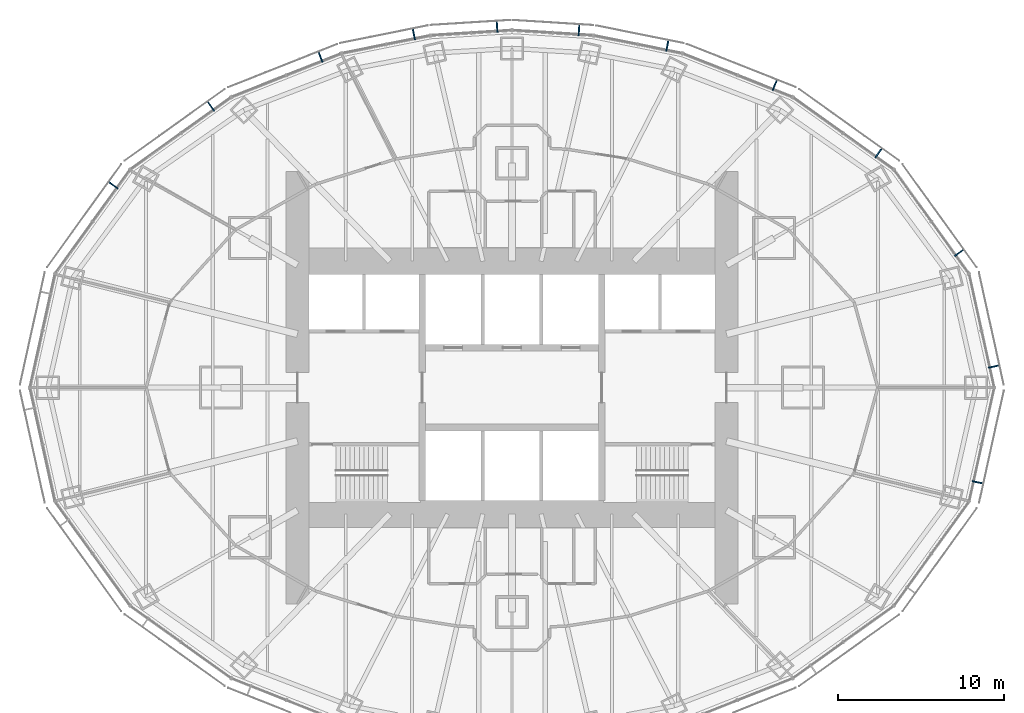
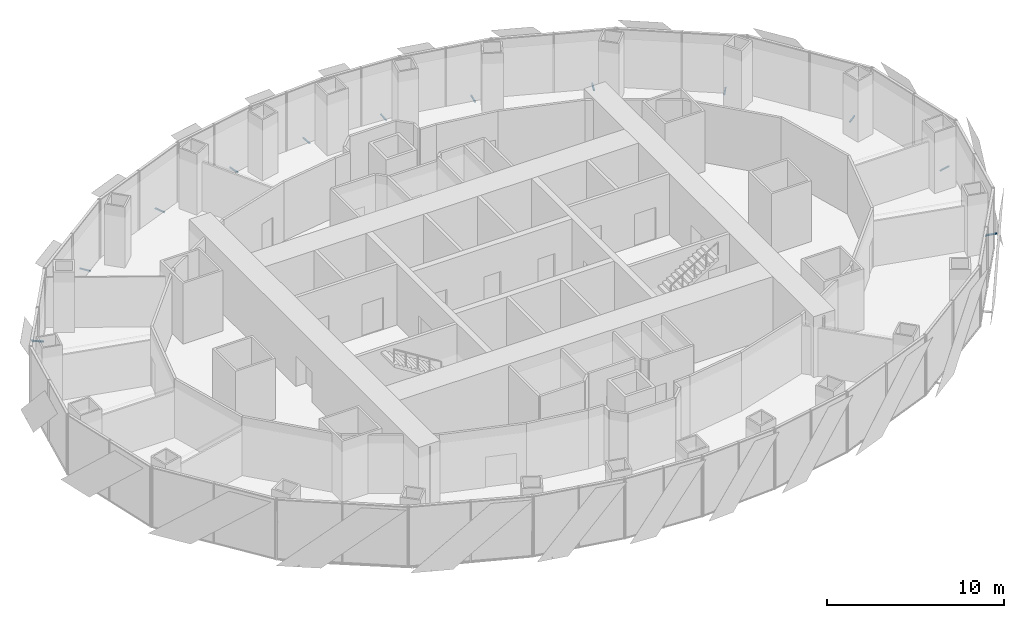
# One storey, part 14 of 17: 12 discrete accessories.
"""IFC4 building model written with IfcOpenShell, lengths in metres."""

import ifcopenshell
import ifcopenshell.guid

model = None  # the IFC model being written
_history = None  # IfcOwnerHistory: only IFC2X3 demands one
_inside = {}  # id of a spatial element -> (the spatial element, [elements in it])
_under = {}  # id of a project, library or spatial element -> (it, [spatial elements below it])
_declared = {}  # id of a project -> (the project, [libraries it declares])
_typed = {}  # id of a type object -> (the type object, [elements of that type])
_made_of = {}  # id of a material, layer set ... -> (it, [elements and type objects made of it])


def new_model(schema):
    """Start an empty IFC model of exactly this schema.

    Asked for "IFC4X3", IfcOpenShell would pick the latest addendum, in which some entities
    have other attributes; the version numbers below select the first issue.
    IFC2X3 requires an IfcOwnerHistory on every rooted entity: one is made here for all.
    """
    global model, _history
    if schema == "IFC4X3":
        model = ifcopenshell.file(schema_version=(4, 3, 0, 0))
    else:
        model = ifcopenshell.file(schema=schema)
    _inside.clear()
    _under.clear()
    _declared.clear()
    _typed.clear()
    _made_of.clear()
    _history = None
    if model.schema == "IFC2X3":
        org = make("IfcOrganization", Name="unknown")
        user = make(
            "IfcPersonAndOrganization",
            ThePerson=make("IfcPerson", FamilyName="unknown"),
            TheOrganization=org,
        )
        app = make(
            "IfcApplication",
            ApplicationDeveloper=org,
            Version="unknown",
            ApplicationFullName="unknown",
            ApplicationIdentifier="unknown",
        )
        _history = make(
            "IfcOwnerHistory",
            OwningUser=user,
            OwningApplication=app,
            ChangeAction="ADDED",
            CreationDate=0,
        )
    return model


def make(cls, **values):
    """One entity of the class cls with the attributes given. An attribute that is None is left unset."""
    return model.create_entity(
        cls, **{name: value for name, value in values.items() if value is not None}
    )


def rooted(cls, **values):
    """An entity with a GlobalId (a new one), such as an element, a storey or a relation."""
    return make(cls, GlobalId=ifcopenshell.guid.new(), OwnerHistory=_history, **values)


def si_unit(unit_type, name, prefix=None):
    """IfcSIUnit, for example si_unit("LENGTHUNIT", "METRE", prefix="MILLI")."""
    return make("IfcSIUnit", UnitType=unit_type, Prefix=prefix, Name=name)


def assignment(units):
    """IfcUnitAssignment: the units of a project."""
    return None if units is None else make("IfcUnitAssignment", Units=units)


def point(xyz):
    """IfcCartesianPoint."""
    return None if xyz is None else make("IfcCartesianPoint", Coordinates=xyz)


def direction(xyz):
    """IfcDirection."""
    return None if xyz is None else make("IfcDirection", DirectionRatios=xyz)


def frame(location, z_axis=None, x_axis=None):
    """IfcAxis2Placement3D, a coordinate frame: its origin and axes. An axis left out is left unset."""
    return make(
        "IfcAxis2Placement3D",
        Location=point(location),
        Axis=direction(z_axis),
        RefDirection=direction(x_axis),
    )


def frame_2d(location, x_axis=None):
    """IfcAxis2Placement2D, a coordinate frame in the plane: its origin and x axis."""
    return make(
        "IfcAxis2Placement2D", Location=point(location), RefDirection=direction(x_axis)
    )


def origin():
    """The frame at (0, 0, 0) with its axes left unset."""
    return frame((0.0, 0.0, 0.0))


def origin_2d():
    """The frame at (0, 0) in the plane with its x axis left unset."""
    return frame_2d((0.0, 0.0))


def place(relative_to, where):
    """IfcLocalPlacement: puts the frame where relative to a parent placement (None: the world)."""
    return make(
        "IfcLocalPlacement", PlacementRelTo=relative_to, RelativePlacement=where
    )


def context(
    kind, dimensions, precision=None, world=None, true_north=None, identifier=None
):
    """IfcGeometricRepresentationContext, for example the 3D "Model" context."""
    return make(
        "IfcGeometricRepresentationContext",
        ContextIdentifier=identifier,
        ContextType=kind,
        CoordinateSpaceDimension=dimensions,
        Precision=precision,
        WorldCoordinateSystem=world,
        TrueNorth=true_north,
    )


def subcontext(parent, identifier, kind, view, scale=None):
    """IfcGeometricRepresentationSubContext, for example "Body" below "Model"."""
    return make(
        "IfcGeometricRepresentationSubContext",
        ContextIdentifier=identifier,
        ContextType=kind,
        ParentContext=parent,
        TargetScale=scale,
        TargetView=view,
    )


def project(units=None, contexts=None):
    """IfcProject with its units and contexts."""
    return rooted(
        "IfcProject",
        Name="project",
        RepresentationContexts=contexts,
        UnitsInContext=assignment(units),
    )


def spatial(cls, under=None, at=None, **own):
    """A site, building, storey or space (cls), placed at a placement, below another one or the project."""
    s = rooted(cls, ObjectPlacement=at, **own)
    if under is not None:
        _under.setdefault(under.id(), (under, []))[1].append(s)
    return s


def profile(cls, at=None, kind="AREA", **sizes):
    """A parametric profile (cls). Its sizes go by their IFC names, for example OverallWidth=200.0."""
    return make(cls, ProfileType=kind, Position=at, **sizes)


def rectangle(**sizes):
    """IfcRectangleProfileDef."""
    return profile("IfcRectangleProfileDef", **sizes)


def extrude(swept, where, along, depth):
    """IfcExtrudedAreaSolid: the profile swept, set in the frame where, extruded along a direction by depth."""
    return make(
        "IfcExtrudedAreaSolid",
        SweptArea=swept,
        Position=where,
        ExtrudedDirection=direction(along),
        Depth=depth,
    )


def shape(context_of_items, identifier, shape_type, items):
    """IfcShapeRepresentation: the items that make up one representation, for example the "Body"."""
    return make(
        "IfcShapeRepresentation",
        ContextOfItems=context_of_items,
        RepresentationIdentifier=identifier,
        RepresentationType=shape_type,
        Items=items,
    )


def made_of(thing, what):
    """Note that an element or type object is made of a material, layer set ...; save() writes the relation."""
    if what is not None:
        _made_of.setdefault(what.id(), (what, []))[1].append(thing)
    return thing


def element(
    cls,
    number,
    at=None,
    inside=None,
    cuts=None,
    type_object=None,
    material=None,
    context=None,
    identifier="Body",
    shape_type=None,
    held_by="IfcProductDefinitionShape",
    body=None,
    shapes=None,
    **own,
):
    """One element of the class cls, such as IfcWall. Its Tag is "e" and its number.

    at: its placement. inside: the storey or other place that contains it. cuts: it is an
    opening in that element (IfcRelVoidsElement). A single representation is given by context,
    identifier, shape_type and body (its items); several are given by shapes. held_by: the class
    of the entity that holds the representations. save() writes the other relations.
    """
    e = rooted(cls, Tag="e%d" % number, ObjectPlacement=at, **own)
    if body is not None:
        shapes = [shape(context, identifier, shape_type, body)]
    if shapes is not None:
        e.Representation = make(held_by, Representations=shapes)
    if inside is not None:
        _inside.setdefault(inside.id(), (inside, []))[1].append(e)
    if cuts is not None:
        rooted(
            "IfcRelVoidsElement", RelatingBuildingElement=cuts, RelatedOpeningElement=e
        )
    if type_object is not None:
        _typed.setdefault(type_object.id(), (type_object, []))[1].append(e)
    return made_of(e, material)


def aggregate(whole, parts):
    """IfcRelAggregates: a whole, such as a stair, and the parts it consists of."""
    return rooted("IfcRelAggregates", RelatingObject=whole, RelatedObjects=parts)


def save(model, path):
    """Write the relations noted so far, then the file.

    IfcRelAggregates (storeys below a building ...), IfcRelContainedInSpatialStructure (elements
    in a storey), IfcRelDefinesByType, IfcRelAssociatesMaterial and IfcRelDeclares: one each for
    every whole, place, type object, material and project.
    """
    for whole, parts in _under.values():
        aggregate(whole, parts)
    for where, things in _inside.values():
        rooted(
            "IfcRelContainedInSpatialStructure",
            RelatedElements=things,
            RelatingStructure=where,
        )
    for kind, things in _typed.values():
        rooted("IfcRelDefinesByType", RelatedObjects=things, RelatingType=kind)
    for what, things in _made_of.values():
        rooted("IfcRelAssociatesMaterial", RelatedObjects=things, RelatingMaterial=what)
    for by, libraries in _declared.values():
        rooted("IfcRelDeclares", RelatingContext=by, RelatedDefinitions=libraries)
    model.write(path)


model = new_model("IFC4")

# Units and contexts
model_context = context("Model", 3, precision=1e-05, world=origin(), true_north=direction((0.0, 1.0)))
body_context = subcontext(model_context, "Body", "Model", "MODEL_VIEW")
ifc_project = project(units=[si_unit("LENGTHUNIT", "METRE"), si_unit("AREAUNIT", "SQUARE_METRE"), si_unit("VOLUMEUNIT", "CUBIC_METRE"), si_unit("PLANEANGLEUNIT", "RADIAN"), si_unit("MASSUNIT", "GRAM", prefix="KILO")], contexts=[model_context])

# Site, building, storey
site_placement = place(None, origin())
site = spatial("IfcSite", under=ifc_project, at=site_placement, CompositionType="ELEMENT")
building_placement = place(site_placement, origin())
building = spatial("IfcBuilding", under=site, at=building_placement, Name="Lantaw Convention Tower", CompositionType="ELEMENT")
storey_placement = place(building_placement, frame((0.0, 0.0, 121.60009765625)))
storey = spatial("IfcBuildingStorey", under=building, at=storey_placement, Name="L28", CompositionType="ELEMENT", Elevation=121.60009765625)

# Discrete accessories
for number, where, z_axis, x_axis, name in (
    (1, (28.98486328125, 1.269775390625, -0.115234375), (0.0, 0.0, 1.0), (-0.215546166174, 0.9764936509, 0.0), "Screen bracket"),
    (2, (26.900146484375, 8.111572265625, -0.115234375), (0.0, 0.0, 1.0), (-0.584512597221, 0.811384633629, 0.0), "Screen bracket"),
    (3, (22.044189453125, 14.10546875, -0.115234375), (0.0, 0.0, 1.0), (-0.813208325995, 0.581972695693, 0.0), "Screen bracket"),
    (4, (15.802978515625, 18.18798828125, -0.115234375), (0.0, 0.0, 1.0), (-0.929547687544, 0.368701907483, 0.0), "Screen bracket"),
    (5, (9.339599609375, 20.56005859375, -0.115234375), (0.0, 0.0, 1.0), (-0.980301514912, 0.197506809659, 0.0), "Screen bracket"),
    (6, (4.027099609375, 21.505859375, -0.115234375), (0.0, 0.0, 1.0), (-0.998022035978, 0.062865059466, 0.0), "Screen bracket"),
    (7, (-0.89794921875, 21.702880859375, -0.115234375), (0.0, 0.0, 1.0), (-0.998022035978, -0.062865059466, 0.0), "Screen bracket"),
    (8, (-5.903076171875, 21.25244140625, -0.115234375), (0.0, 0.0, 1.0), (-0.980301514912, -0.197506809659, 0.0), "Screen bracket"),
    (9, (-11.517822265625, 19.887939453125, -0.115234375), (0.0, 0.0, 1.0), (-0.929547687544, -0.368701907483, 0.0), "Screen bracket"),
    (10, (-18.10791015625, 16.922607421875, -0.115234375), (0.0, 0.0, 1.0), (-0.813208325995, -0.581972695693, 0.0), "Screen bracket"),
    (11, (-23.9765625, 12.169677734375, -0.115234375), (0.0, 0.0, 1.0), (-0.584512597221, -0.811384633629, 0.0), "Screen bracket"),
    (12, (28.008056640625, -5.6953125, -0.115234375), (0.0, 0.0, 1.0), (0.215546166174, 0.9764936509, 0.0), "Screen bracket"),
):
    element("IfcDiscreteAccessory", number, at=place(storey_placement, frame(where, z_axis=z_axis, x_axis=x_axis)), inside=storey, Name=name, PredefinedType="BRACKET", context=body_context, shape_type="SweptSolid", body=[
        extrude(rectangle(XDim=0.080078125, YDim=0.68798828125, at=origin_2d()), origin(), (0.0, 0.0, 1.0), 0.080078125),
    ])

save(model, "model.ifc")
